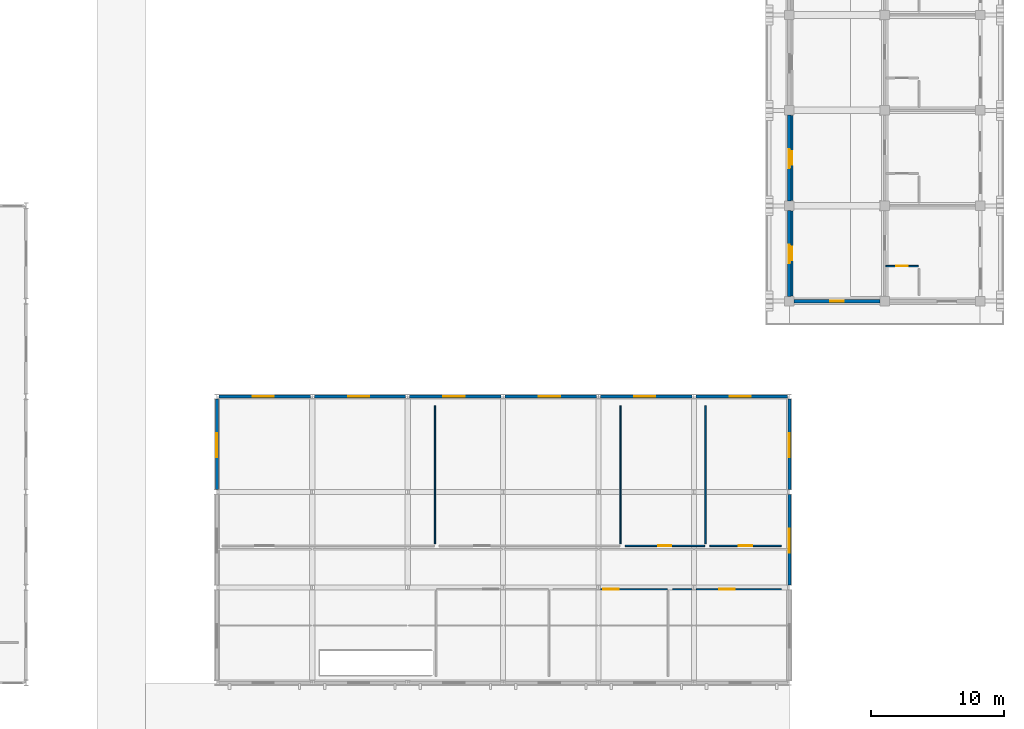
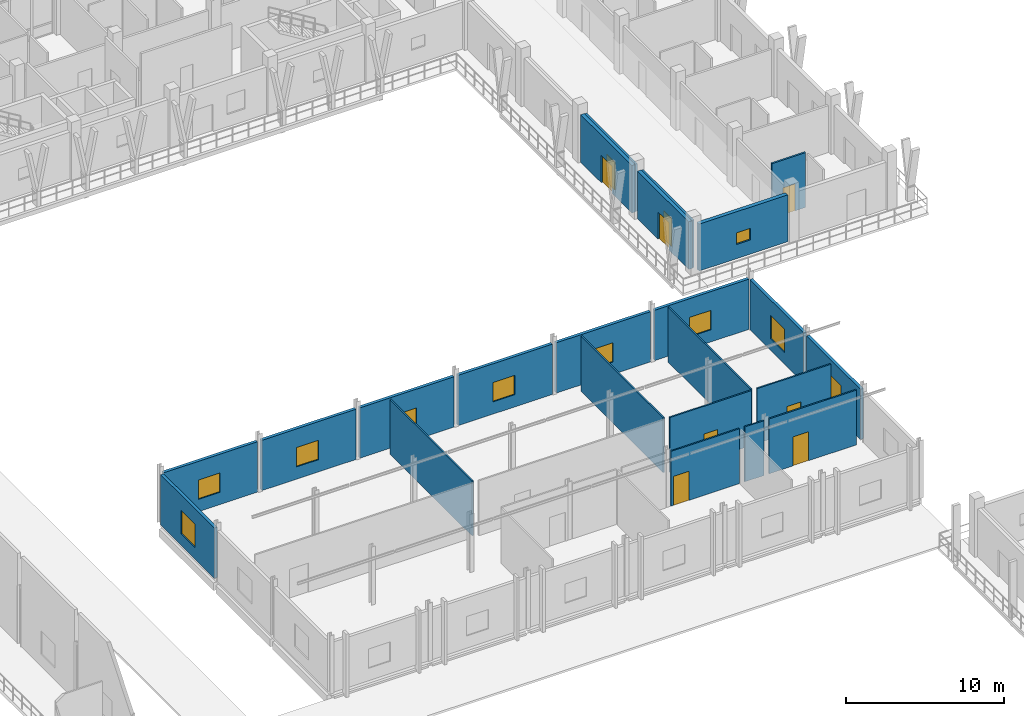
# One storey, part 86 of 110: 23 walls, 10 windows, 9 doors, 19 openings.
"""IFC4 building model written with IfcOpenShell, lengths in metres."""

from ifc_helpers import new_model, si_unit, direction, frame, frame_2d, origin, place, context, subcontext, project, spatial, rectangle, extrude, material, layer, layer_set, type_object, element, fill, save


model = new_model("IFC4")

# Units and contexts
model_context = context("Model", 3, precision=1e-05, world=origin(), true_north=direction((0.0, 1.0)))
body_context = subcontext(model_context, "Body", "Model", "MODEL_VIEW")
ifc_project = project(units=[si_unit("LENGTHUNIT", "METRE"), si_unit("AREAUNIT", "SQUARE_METRE"), si_unit("VOLUMEUNIT", "CUBIC_METRE"), si_unit("PLANEANGLEUNIT", "RADIAN"), si_unit("MASSUNIT", "GRAM", prefix="KILO")], contexts=[model_context])

# Site, building, storey
site_placement = place(None, origin())
site = spatial("IfcSite", under=ifc_project, at=site_placement, CompositionType="ELEMENT")
building_placement = place(site_placement, origin())
building = spatial("IfcBuilding", under=site, at=building_placement, Name="Suanplinth Sawtooth Commons", CompositionType="ELEMENT")
storey_placement = place(building_placement, frame((0.0, 0.0, 4.5)))
storey = spatial("IfcBuildingStorey", under=building, at=storey_placement, Name="L01", CompositionType="ELEMENT", Elevation=4.5)

# Wall, opening, window
ifc_material_1 = material(Name="Precast concrete C40/50", Category="concrete")
ifc_layer_1 = layer(ifc_material_1, 0.280029296875, Name="Insulated precast architectural facade wall 280mm")
ifc_layer_set_1 = layer_set([ifc_layer_1], Name="Precast concrete C40/50")
wall_type_1 = type_object("IfcWallType", Name="W-EX01", PredefinedType="ELEMENTEDWALL", material=ifc_layer_set_1)
wall_1_placement = place(storey_placement, frame((173.14990234375, 79.199951171875, 0.0), z_axis=(0.0, 0.0, 1.0), x_axis=(1.0, 0.0, 0.0)))
wall_1 = element("IfcWall", 1, at=wall_1_placement, inside=storey, type_object=wall_type_1, Name="Facade Wall W-L01-B-S-24-11", PredefinedType="ELEMENTEDWALL", context=body_context, shape_type="SweptSolid", body=[
    extrude(rectangle(XDim=6.5, YDim=0.280029296875, at=frame_2d((3.25, 0.0))), origin(), (0.0, 0.0, 1.0), 3.635009765625),
])
opening_1_placement = place(wall_1_placement, frame((2.75, 0.0, 1.10009765625)))
opening_1 = element("IfcOpeningElement", 2, at=opening_1_placement, cuts=wall_1, Name="Opening W0200", PredefinedType="OPENING", context=body_context, shape_type="SweptSolid", body=[
    extrude(rectangle(XDim=1.0, YDim=0.89990234375, at=frame_2d((0.5, 0.449951171875))), frame((0.0, 0.15478515625, 0.0), z_axis=(0.0, -1.0, 0.0), x_axis=(1.0, 0.0, 0.0)), (0.0, 0.0, 1.0), 0.309814453125),
])
ifc_material_2 = material(Name="Thermally broken aluminium and low-E double glazing", Category="aluminium")
window_type_1 = type_object("IfcWindowType", Name="WN-12", PartitioningType="SINGLE_PANEL", PredefinedType="WINDOW", material=ifc_material_2)
window_1_placement = place(opening_1_placement, origin())
window_1 = element("IfcWindow", 3, at=window_1_placement, inside=storey, type_object=window_type_1, Name="End Window L01-B-S-24-11", OverallHeight=0.89990234375, OverallWidth=1.0, PartitioningType="SINGLE_PANEL", PredefinedType="WINDOW", context=body_context, shape_type="SweptSolid", body=[
    extrude(rectangle(XDim=1.0, YDim=0.89990234375, at=frame_2d((0.5, 0.449951171875))), frame((0.0, 0.030029296875, 0.0), z_axis=(0.0, -1.0, 0.0), x_axis=(1.0, 0.0, 0.0)), (0.0, 0.0, 1.0), 0.06005859375),
])
fill(opening_1, window_1)

# Wall, opening, door
wall_2_placement = place(storey_placement, frame((172.800048828125, 79.550048828125, 0.0), z_axis=(0.0, 0.0, 1.0), x_axis=(0.0, 1.0, 0.0)))
wall_2 = element("IfcWall", 4, at=wall_2_placement, inside=storey, type_object=wall_type_1, Name="Facade Wall W-L01-B-W-24-11", PredefinedType="ELEMENTEDWALL", context=body_context, shape_type="SweptSolid", body=[
    extrude(rectangle(XDim=6.5, YDim=0.280029296875, at=frame_2d((3.25, 0.0))), origin(), (0.0, 0.0, 1.0), 3.68505859375),
])
opening_2_placement = place(wall_2_placement, frame((2.5, 0.0, 0.0)))
opening_2 = element("IfcOpeningElement", 5, at=opening_2_placement, cuts=wall_2, Name="Opening ED0074", PredefinedType="OPENING", context=body_context, shape_type="SweptSolid", body=[
    extrude(rectangle(XDim=1.39990234375, YDim=2.10009765625, at=frame_2d((0.699951171875, 1.050048828125))), frame((0.0, 0.15478515625, 0.0), z_axis=(0.0, -1.0, 0.0), x_axis=(1.0, 0.0, 0.0)), (0.0, 0.0, 1.0), 0.309814453125),
])
ifc_material_3 = material(Name="Anodized aluminium and low-E glass", Category="aluminium")
door_type_1 = type_object("IfcDoorType", Name="SD-07", OperationType="SLIDING_TO_RIGHT", PredefinedType="DOOR", material=ifc_material_3)
door_1_placement = place(opening_2_placement, frame((1.39990234375, 0.0, 0.0), z_axis=(0.0, 0.0, 1.0), x_axis=(-1.0, 0.0, 0.0)))
door_1 = element("IfcDoor", 6, at=door_1_placement, inside=storey, type_object=door_type_1, Name="Courtyard Veranda Studio Balcony Door L01-B-11", OperationType="SLIDING_TO_RIGHT", OverallHeight=2.10009765625, OverallWidth=1.39990234375, PredefinedType="DOOR", context=body_context, shape_type="SweptSolid", body=[
    extrude(rectangle(XDim=1.39990234375, YDim=2.10009765625, at=frame_2d((0.699951171875, 1.050048828125))), frame((0.0, 0.02490234375, 0.0), z_axis=(0.0, -1.0, 0.0), x_axis=(1.0, 0.0, 0.0)), (0.0, 0.0, 1.0), 0.050048828125),
])
fill(opening_2, door_1)

wall_3_placement = place(storey_placement, frame((172.800048828125, 86.75, 0.0), z_axis=(0.0, 0.0, 1.0), x_axis=(0.0, 1.0, 0.0)))
wall_3 = element("IfcWall", 7, at=wall_3_placement, inside=storey, type_object=wall_type_1, Name="Facade Wall W-L01-B-W-24-12", PredefinedType="ELEMENTEDWALL", context=body_context, shape_type="SweptSolid", body=[
    extrude(rectangle(XDim=6.5, YDim=0.280029296875, at=frame_2d((3.25, 0.0))), origin(), (0.0, 0.0, 1.0), 3.68505859375),
])
opening_3_placement = place(wall_3_placement, frame((2.5, 0.0, 0.0)))
opening_3 = element("IfcOpeningElement", 8, at=opening_3_placement, cuts=wall_3, Name="Opening ED0075", PredefinedType="OPENING", context=body_context, shape_type="SweptSolid", body=[
    extrude(rectangle(XDim=1.39990234375, YDim=2.10009765625, at=frame_2d((0.699951171875, 1.050048828125))), frame((0.0, 0.15478515625, 0.0), z_axis=(0.0, -1.0, 0.0), x_axis=(1.0, 0.0, 0.0)), (0.0, 0.0, 1.0), 0.309814453125),
])
door_2_placement = place(opening_3_placement, frame((1.39990234375, 0.0, 0.0), z_axis=(0.0, 0.0, 1.0), x_axis=(-1.0, 0.0, 0.0)))
door_2 = element("IfcDoor", 9, at=door_2_placement, inside=storey, type_object=door_type_1, Name="Courtyard Veranda Studio Balcony Door L01-B-12", OperationType="SLIDING_TO_RIGHT", OverallHeight=2.10009765625, OverallWidth=1.39990234375, PredefinedType="DOOR", context=body_context, shape_type="SweptSolid", body=[
    extrude(rectangle(XDim=1.39990234375, YDim=2.10009765625, at=frame_2d((0.699951171875, 1.050048828125))), frame((0.0, 0.02490234375, 0.0), z_axis=(0.0, -1.0, 0.0), x_axis=(1.0, 0.0, 0.0)), (0.0, 0.0, 1.0), 0.050048828125),
])
fill(opening_3, door_2)

# Wall, opening, window
ifc_layer_2 = layer(ifc_material_1, 0.219970703125, Name="Civic pavilion insulated facade wall 220mm")
ifc_layer_set_2 = layer_set([ifc_layer_2], Name="Precast concrete C40/50")
wall_type_2 = type_object("IfcWallType", Name="W-EX05", PredefinedType="ELEMENTEDWALL", material=ifc_layer_set_2)
wall_4_placement = place(storey_placement, frame((129.75, 72.0, 0.0), z_axis=(0.0, 0.0, 1.0), x_axis=(1.0, 0.0, 0.0)))
wall_4 = element("IfcWall", 10, at=wall_4_placement, inside=storey, type_object=wall_type_2, Name="Clinic N Wall L01-18", PredefinedType="ELEMENTEDWALL", context=body_context, shape_type="SweptSolid", body=[
    extrude(rectangle(XDim=6.89990234375, YDim=0.219970703125, at=frame_2d((3.449951171875, 0.0))), origin(), (0.0, 0.0, 1.0), 3.89990234375),
])
opening_4_placement = place(wall_4_placement, frame((2.550048828125, 0.0, 0.949951171875)))
opening_4 = element("IfcOpeningElement", 11, at=opening_4_placement, cuts=wall_4, Name="Opening W0028", PredefinedType="OPENING", context=body_context, shape_type="SweptSolid", body=[
    extrude(rectangle(XDim=1.60009765625, YDim=1.5, at=frame_2d((0.800048828125, 0.75))), frame((0.0, 0.125, 0.0), z_axis=(0.0, -1.0, 0.0), x_axis=(1.0, 0.0, 0.0)), (0.0, 0.0, 1.0), 0.249755859375),
])
window_type_2 = type_object("IfcWindowType", Name="WN-08", PartitioningType="DOUBLE_PANEL_VERTICAL", PredefinedType="WINDOW", material=ifc_material_2)
window_2_placement = place(opening_4_placement, origin())
window_2 = element("IfcWindow", 12, at=window_2_placement, inside=storey, type_object=window_type_2, Name="Clinic Window N-18", OverallHeight=1.5, OverallWidth=1.60009765625, PartitioningType="DOUBLE_PANEL_VERTICAL", PredefinedType="WINDOW", context=body_context, shape_type="SweptSolid", body=[
    extrude(rectangle(XDim=1.60009765625, YDim=1.5, at=frame_2d((0.800048828125, 0.75))), frame((0.0, 0.030029296875, 0.0), z_axis=(0.0, -1.0, 0.0), x_axis=(1.0, 0.0, 0.0)), (0.0, 0.0, 1.0), 0.06005859375),
])
fill(opening_4, window_2)

wall_5_placement = place(storey_placement, frame((136.949951171875, 72.0, 0.0), z_axis=(0.0, 0.0, 1.0), x_axis=(1.0, 0.0, 0.0)))
wall_5 = element("IfcWall", 13, at=wall_5_placement, inside=storey, type_object=wall_type_2, Name="Clinic N Wall L01-19", PredefinedType="ELEMENTEDWALL", context=body_context, shape_type="SweptSolid", body=[
    extrude(rectangle(XDim=6.900146484375, YDim=0.219970703125, at=frame_2d((3.4501953125, 0.0))), origin(), (0.0, 0.0, 1.0), 3.89990234375),
])
opening_5_placement = place(wall_5_placement, frame((2.550048828125, 0.0, 0.949951171875)))
opening_5 = element("IfcOpeningElement", 14, at=opening_5_placement, cuts=wall_5, Name="Opening W0030", PredefinedType="OPENING", context=body_context, shape_type="SweptSolid", body=[
    extrude(rectangle(XDim=1.60009765625, YDim=1.5, at=frame_2d((0.800048828125, 0.75))), frame((0.0, 0.125, 0.0), z_axis=(0.0, -1.0, 0.0), x_axis=(1.0, 0.0, 0.0)), (0.0, 0.0, 1.0), 0.249755859375),
])
window_3_placement = place(opening_5_placement, origin())
window_3 = element("IfcWindow", 15, at=window_3_placement, inside=storey, type_object=window_type_2, Name="Clinic Window N-19", OverallHeight=1.5, OverallWidth=1.60009765625, PartitioningType="DOUBLE_PANEL_VERTICAL", PredefinedType="WINDOW", context=body_context, shape_type="SweptSolid", body=[
    extrude(rectangle(XDim=1.60009765625, YDim=1.5, at=frame_2d((0.800048828125, 0.75))), frame((0.0, 0.030029296875, 0.0), z_axis=(0.0, -1.0, 0.0), x_axis=(1.0, 0.0, 0.0)), (0.0, 0.0, 1.0), 0.06005859375),
])
fill(opening_5, window_3)

wall_6_placement = place(storey_placement, frame((144.14990234375, 72.0, 0.0), z_axis=(0.0, 0.0, 1.0), x_axis=(1.0, 0.0, 0.0)))
wall_6 = element("IfcWall", 16, at=wall_6_placement, inside=storey, type_object=wall_type_2, Name="Clinic N Wall L01-20", PredefinedType="ELEMENTEDWALL", context=body_context, shape_type="SweptSolid", body=[
    extrude(rectangle(XDim=6.900146484375, YDim=0.219970703125, at=frame_2d((3.4501953125, 0.0))), origin(), (0.0, 0.0, 1.0), 3.89990234375),
])
opening_6_placement = place(wall_6_placement, frame((2.550048828125, 0.0, 0.949951171875)))
opening_6 = element("IfcOpeningElement", 17, at=opening_6_placement, cuts=wall_6, Name="Opening W0033", PredefinedType="OPENING", context=body_context, shape_type="SweptSolid", body=[
    extrude(rectangle(XDim=1.60009765625, YDim=1.5, at=frame_2d((0.800048828125, 0.75))), frame((0.0, 0.125, 0.0), z_axis=(0.0, -1.0, 0.0), x_axis=(1.0, 0.0, 0.0)), (0.0, 0.0, 1.0), 0.249755859375),
])
window_4_placement = place(opening_6_placement, origin())
window_4 = element("IfcWindow", 18, at=window_4_placement, inside=storey, type_object=window_type_2, Name="Clinic Window N-20", OverallHeight=1.5, OverallWidth=1.60009765625, PartitioningType="DOUBLE_PANEL_VERTICAL", PredefinedType="WINDOW", context=body_context, shape_type="SweptSolid", body=[
    extrude(rectangle(XDim=1.60009765625, YDim=1.5, at=frame_2d((0.800048828125, 0.75))), frame((0.0, 0.030029296875, 0.0), z_axis=(0.0, -1.0, 0.0), x_axis=(1.0, 0.0, 0.0)), (0.0, 0.0, 1.0), 0.06005859375),
])
fill(opening_6, window_4)

wall_7_placement = place(storey_placement, frame((151.35009765625, 72.0, 0.0), z_axis=(0.0, 0.0, 1.0), x_axis=(1.0, 0.0, 0.0)))
wall_7 = element("IfcWall", 19, at=wall_7_placement, inside=storey, type_object=wall_type_2, Name="Clinic N Wall L01-21", PredefinedType="ELEMENTEDWALL", context=body_context, shape_type="SweptSolid", body=[
    extrude(rectangle(XDim=6.89990234375, YDim=0.219970703125, at=frame_2d((3.449951171875, 0.0))), origin(), (0.0, 0.0, 1.0), 3.89990234375),
])
opening_7_placement = place(wall_7_placement, frame((2.550048828125, 0.0, 0.949951171875)))
opening_7 = element("IfcOpeningElement", 20, at=opening_7_placement, cuts=wall_7, Name="Opening W0036", PredefinedType="OPENING", context=body_context, shape_type="SweptSolid", body=[
    extrude(rectangle(XDim=1.60009765625, YDim=1.5, at=frame_2d((0.800048828125, 0.75))), frame((0.0, 0.125, 0.0), z_axis=(0.0, -1.0, 0.0), x_axis=(1.0, 0.0, 0.0)), (0.0, 0.0, 1.0), 0.249755859375),
])
window_5_placement = place(opening_7_placement, origin())
window_5 = element("IfcWindow", 21, at=window_5_placement, inside=storey, type_object=window_type_2, Name="Clinic Window N-21", OverallHeight=1.5, OverallWidth=1.60009765625, PartitioningType="DOUBLE_PANEL_VERTICAL", PredefinedType="WINDOW", context=body_context, shape_type="SweptSolid", body=[
    extrude(rectangle(XDim=1.60009765625, YDim=1.5, at=frame_2d((0.800048828125, 0.75))), frame((0.0, 0.030029296875, 0.0), z_axis=(0.0, -1.0, 0.0), x_axis=(1.0, 0.0, 0.0)), (0.0, 0.0, 1.0), 0.06005859375),
])
fill(opening_7, window_5)

wall_8_placement = place(storey_placement, frame((158.550048828125, 72.0, 0.0), z_axis=(0.0, 0.0, 1.0), x_axis=(1.0, 0.0, 0.0)))
wall_8 = element("IfcWall", 22, at=wall_8_placement, inside=storey, type_object=wall_type_2, Name="Clinic N Wall L01-22", PredefinedType="ELEMENTEDWALL", context=body_context, shape_type="SweptSolid", body=[
    extrude(rectangle(XDim=6.89990234375, YDim=0.219970703125, at=frame_2d((3.449951171875, 0.0))), origin(), (0.0, 0.0, 1.0), 3.89990234375),
])
opening_8_placement = place(wall_8_placement, frame((2.550048828125, 0.0, 0.949951171875)))
opening_8 = element("IfcOpeningElement", 23, at=opening_8_placement, cuts=wall_8, Name="Opening W0038", PredefinedType="OPENING", context=body_context, shape_type="SweptSolid", body=[
    extrude(rectangle(XDim=1.60009765625, YDim=1.5, at=frame_2d((0.800048828125, 0.75))), frame((0.0, 0.125, 0.0), z_axis=(0.0, -1.0, 0.0), x_axis=(1.0, 0.0, 0.0)), (0.0, 0.0, 1.0), 0.249755859375),
])
window_6_placement = place(opening_8_placement, origin())
window_6 = element("IfcWindow", 24, at=window_6_placement, inside=storey, type_object=window_type_2, Name="Clinic Window N-22", OverallHeight=1.5, OverallWidth=1.60009765625, PartitioningType="DOUBLE_PANEL_VERTICAL", PredefinedType="WINDOW", context=body_context, shape_type="SweptSolid", body=[
    extrude(rectangle(XDim=1.60009765625, YDim=1.5, at=frame_2d((0.800048828125, 0.75))), frame((0.0, 0.030029296875, 0.0), z_axis=(0.0, -1.0, 0.0), x_axis=(1.0, 0.0, 0.0)), (0.0, 0.0, 1.0), 0.06005859375),
])
fill(opening_8, window_6)

wall_9_placement = place(storey_placement, frame((165.75, 72.0, 0.0), z_axis=(0.0, 0.0, 1.0), x_axis=(1.0, 0.0, 0.0)))
wall_9 = element("IfcWall", 25, at=wall_9_placement, inside=storey, type_object=wall_type_2, Name="Clinic N Wall L01-23", PredefinedType="ELEMENTEDWALL", context=body_context, shape_type="SweptSolid", body=[
    extrude(rectangle(XDim=6.89990234375, YDim=0.219970703125, at=frame_2d((3.449951171875, 0.0))), origin(), (0.0, 0.0, 1.0), 3.89990234375),
])
opening_9_placement = place(wall_9_placement, frame((2.550048828125, 0.0, 0.949951171875)))
opening_9 = element("IfcOpeningElement", 26, at=opening_9_placement, cuts=wall_9, Name="Opening W0041", PredefinedType="OPENING", context=body_context, shape_type="SweptSolid", body=[
    extrude(rectangle(XDim=1.60009765625, YDim=1.5, at=frame_2d((0.800048828125, 0.75))), frame((0.0, 0.125, 0.0), z_axis=(0.0, -1.0, 0.0), x_axis=(1.0, 0.0, 0.0)), (0.0, 0.0, 1.0), 0.249755859375),
])
window_7_placement = place(opening_9_placement, origin())
window_7 = element("IfcWindow", 27, at=window_7_placement, inside=storey, type_object=window_type_2, Name="Clinic Window N-23", OverallHeight=1.5, OverallWidth=1.60009765625, PartitioningType="DOUBLE_PANEL_VERTICAL", PredefinedType="WINDOW", context=body_context, shape_type="SweptSolid", body=[
    extrude(rectangle(XDim=1.60009765625, YDim=1.5, at=frame_2d((0.800048828125, 0.75))), frame((0.0, 0.030029296875, 0.0), z_axis=(0.0, -1.0, 0.0), x_axis=(1.0, 0.0, 0.0)), (0.0, 0.0, 1.0), 0.06005859375),
])
fill(opening_9, window_7)

wall_10_placement = place(storey_placement, frame((172.800048828125, 57.780029296875, 0.0), z_axis=(0.0, 0.0, 1.0), x_axis=(0.0, 1.0, 0.0)))
wall_10 = element("IfcWall", 28, at=wall_10_placement, inside=storey, type_object=wall_type_2, Name="Nursery E Wall L01-8", PredefinedType="ELEMENTEDWALL", context=body_context, shape_type="SweptSolid", body=[
    extrude(rectangle(XDim=6.840087890625, YDim=0.219970703125, at=frame_2d((3.419921875, 0.0))), origin(), (0.0, 0.0, 1.0), 3.89990234375),
])
opening_10_placement = place(wall_10_placement, frame((2.449951171875, 0.0, 0.89990234375)))
opening_10 = element("IfcOpeningElement", 29, at=opening_10_placement, cuts=wall_10, Name="Opening W0048", PredefinedType="OPENING", context=body_context, shape_type="SweptSolid", body=[
    extrude(rectangle(XDim=1.800048828125, YDim=1.800048828125, at=frame_2d((0.89990234375, 0.89990234375))), frame((0.0, 0.125, 0.0), z_axis=(0.0, -1.0, 0.0), x_axis=(1.0, 0.0, 0.0)), (0.0, 0.0, 1.0), 0.249755859375),
])
window_type_3 = type_object("IfcWindowType", Name="WN-07", PartitioningType="DOUBLE_PANEL_VERTICAL", PredefinedType="WINDOW", material=ifc_material_2)
window_8_placement = place(opening_10_placement, origin())
window_8 = element("IfcWindow", 30, at=window_8_placement, inside=storey, type_object=window_type_3, Name="Nursery E Window L01-8", OverallHeight=1.800048828125, OverallWidth=1.800048828125, PartitioningType="DOUBLE_PANEL_VERTICAL", PredefinedType="WINDOW", context=body_context, shape_type="SweptSolid", body=[
    extrude(rectangle(XDim=1.800048828125, YDim=1.800048828125, at=frame_2d((0.89990234375, 0.89990234375))), frame((0.0, 0.030029296875, 0.0), z_axis=(0.0, -1.0, 0.0), x_axis=(1.0, 0.0, 0.0)), (0.0, 0.0, 1.0), 0.06005859375),
])
fill(opening_10, window_8)

wall_11_placement = place(storey_placement, frame((129.60009765625, 64.97998046875, 0.0), z_axis=(0.0, 0.0, 1.0), x_axis=(0.0, 1.0, 0.0)))
wall_11 = element("IfcWall", 31, at=wall_11_placement, inside=storey, type_object=wall_type_2, Name="Nursery W Wall L01-9", PredefinedType="ELEMENTEDWALL", context=body_context, shape_type="SweptSolid", body=[
    extrude(rectangle(XDim=6.840087890625, YDim=0.219970703125, at=frame_2d((3.419921875, 0.0))), origin(), (0.0, 0.0, 1.0), 3.89990234375),
])
opening_11_placement = place(wall_11_placement, frame((2.449951171875, 0.0, 0.89990234375)))
opening_11 = element("IfcOpeningElement", 32, at=opening_11_placement, cuts=wall_11, Name="Opening W0050", PredefinedType="OPENING", context=body_context, shape_type="SweptSolid", body=[
    extrude(rectangle(XDim=1.800048828125, YDim=1.800048828125, at=frame_2d((0.89990234375, 0.89990234375))), frame((0.0, 0.125, 0.0), z_axis=(0.0, -1.0, 0.0), x_axis=(1.0, 0.0, 0.0)), (0.0, 0.0, 1.0), 0.249755859375),
])
window_9_placement = place(opening_11_placement, origin())
window_9 = element("IfcWindow", 33, at=window_9_placement, inside=storey, type_object=window_type_3, Name="Nursery W Window L01-9", OverallHeight=1.800048828125, OverallWidth=1.800048828125, PartitioningType="DOUBLE_PANEL_VERTICAL", PredefinedType="WINDOW", context=body_context, shape_type="SweptSolid", body=[
    extrude(rectangle(XDim=1.800048828125, YDim=1.800048828125, at=frame_2d((0.89990234375, 0.89990234375))), frame((0.0, 0.030029296875, 0.0), z_axis=(0.0, -1.0, 0.0), x_axis=(1.0, 0.0, 0.0)), (0.0, 0.0, 1.0), 0.06005859375),
])
fill(opening_11, window_9)

wall_12_placement = place(storey_placement, frame((172.800048828125, 64.97998046875, 0.0), z_axis=(0.0, 0.0, 1.0), x_axis=(0.0, 1.0, 0.0)))
wall_12 = element("IfcWall", 34, at=wall_12_placement, inside=storey, type_object=wall_type_2, Name="Nursery E Wall L01-9", PredefinedType="ELEMENTEDWALL", context=body_context, shape_type="SweptSolid", body=[
    extrude(rectangle(XDim=6.840087890625, YDim=0.219970703125, at=frame_2d((3.419921875, 0.0))), origin(), (0.0, 0.0, 1.0), 3.89990234375),
])
opening_12_placement = place(wall_12_placement, frame((2.449951171875, 0.0, 0.89990234375)))
opening_12 = element("IfcOpeningElement", 35, at=opening_12_placement, cuts=wall_12, Name="Opening W0052", PredefinedType="OPENING", context=body_context, shape_type="SweptSolid", body=[
    extrude(rectangle(XDim=1.800048828125, YDim=1.800048828125, at=frame_2d((0.89990234375, 0.89990234375))), frame((0.0, 0.125, 0.0), z_axis=(0.0, -1.0, 0.0), x_axis=(1.0, 0.0, 0.0)), (0.0, 0.0, 1.0), 0.249755859375),
])
window_10_placement = place(opening_12_placement, origin())
window_10 = element("IfcWindow", 36, at=window_10_placement, inside=storey, type_object=window_type_3, Name="Nursery E Window L01-9", OverallHeight=1.800048828125, OverallWidth=1.800048828125, PartitioningType="DOUBLE_PANEL_VERTICAL", PredefinedType="WINDOW", context=body_context, shape_type="SweptSolid", body=[
    extrude(rectangle(XDim=1.800048828125, YDim=1.800048828125, at=frame_2d((0.89990234375, 0.89990234375))), frame((0.0, 0.030029296875, 0.0), z_axis=(0.0, -1.0, 0.0), x_axis=(1.0, 0.0, 0.0)), (0.0, 0.0, 1.0), 0.06005859375),
])
fill(opening_12, window_10)

# Wall, opening, door
ifc_layer_3 = layer(ifc_material_1, 0.159912109375, Name="Fire-rated corridor and lobby wall 160mm")
ifc_layer_set_3 = layer_set([ifc_layer_3], Name="Precast concrete C40/50")
wall_type_3 = type_object("IfcWallType", Name="W-FW01", PredefinedType="PARTITIONING", material=ifc_layer_set_3)
wall_13_placement = place(storey_placement, frame((173.0, 79.580078125, 0.0), z_axis=(0.0, 0.0, 1.0), x_axis=(0.0, 1.0, 0.0)))
wall_13 = element("IfcWall", 37, at=wall_13_placement, inside=storey, type_object=wall_type_3, Name="W-B-L01-LEGCOURTROOM-35-COR", PredefinedType="PARTITIONING", context=body_context, shape_type="SweptSolid", body=[
    extrude(rectangle(XDim=6.43994140625, YDim=0.159912109375, at=frame_2d((3.219970703125, 0.0))), origin(), (0.0, 0.0, 1.0), 3.68505859375),
])
opening_13_placement = place(wall_13_placement, frame((2.7099609375, 0.0, 0.0)))
opening_13 = element("IfcOpeningElement", 38, at=opening_13_placement, cuts=wall_13, Name="Opening D0606", PredefinedType="OPENING", context=body_context, shape_type="SweptSolid", body=[
    extrude(rectangle(XDim=1.02001953125, YDim=2.179931640625, at=frame_2d((0.510009765625, 1.08984375))), frame((0.0, 0.0947265625, 0.0), z_axis=(0.0, -1.0, 0.0), x_axis=(1.0, 0.0, 0.0)), (0.0, 0.0, 1.0), 0.189697265625),
])
ifc_material_4 = material(Name="Teak hardwood", Category="wood")
door_type_2 = type_object("IfcDoorType", Name="D-16", OperationType="NOTDEFINED", PredefinedType="DOOR", material=ifc_material_4)
door_3_placement = place(opening_13_placement, origin())
door_3 = element("IfcDoor", 39, at=door_3_placement, inside=storey, type_object=door_type_2, Name="Veranda Studio Door D0606", OperationType="SINGLE_SWING_RIGHT", OverallHeight=2.179931640625, OverallWidth=1.02001953125, PredefinedType="DOOR", context=body_context, shape_type="SweptSolid", body=[
    extrude(rectangle(XDim=1.02001953125, YDim=2.179931640625, at=frame_2d((0.510009765625, 1.08984375))), frame((0.0, 0.02490234375, 0.0), z_axis=(0.0, -1.0, 0.0), x_axis=(1.0, 0.0, 0.0)), (0.0, 0.0, 1.0), 0.050048828125),
])
fill(opening_13, door_3)

wall_14_placement = place(storey_placement, frame((173.0, 86.780029296875, 0.0), z_axis=(0.0, 0.0, 1.0), x_axis=(0.0, 1.0, 0.0)))
wall_14 = element("IfcWall", 40, at=wall_14_placement, inside=storey, type_object=wall_type_3, Name="W-B-L01-LEGCOURTROOM-37-COR", PredefinedType="PARTITIONING", context=body_context, shape_type="SweptSolid", body=[
    extrude(rectangle(XDim=6.43994140625, YDim=0.159912109375, at=frame_2d((3.219970703125, 0.0))), origin(), (0.0, 0.0, 1.0), 3.68505859375),
])
opening_14_placement = place(wall_14_placement, frame((2.7099609375, 0.0, 0.0)))
opening_14 = element("IfcOpeningElement", 41, at=opening_14_placement, cuts=wall_14, Name="Opening D0609", PredefinedType="OPENING", context=body_context, shape_type="SweptSolid", body=[
    extrude(rectangle(XDim=1.02001953125, YDim=2.179931640625, at=frame_2d((0.510009765625, 1.08984375))), frame((0.0, 0.0947265625, 0.0), z_axis=(0.0, -1.0, 0.0), x_axis=(1.0, 0.0, 0.0)), (0.0, 0.0, 1.0), 0.189697265625),
])
door_4_placement = place(opening_14_placement, origin())
door_4 = element("IfcDoor", 42, at=door_4_placement, inside=storey, type_object=door_type_2, Name="Veranda Studio Door D0609", OperationType="SINGLE_SWING_LEFT", OverallHeight=2.179931640625, OverallWidth=1.02001953125, PredefinedType="DOOR", context=body_context, shape_type="SweptSolid", body=[
    extrude(rectangle(XDim=1.02001953125, YDim=2.179931640625, at=frame_2d((0.510009765625, 1.08984375))), frame((0.0, 0.02490234375, 0.0), z_axis=(0.0, -1.0, 0.0), x_axis=(1.0, 0.0, 0.0)), (0.0, 0.0, 1.0), 0.050048828125),
])
fill(opening_14, door_4)

ifc_material_5 = material(Name="Gypsum plasterboard on steel stud", Category="steel")
ifc_layer_4 = layer(ifc_material_5, 0.1298828125, Name="Moisture-resistant bathroom partition 130mm")
ifc_layer_set_4 = layer_set([ifc_layer_4], Name="Gypsum plasterboard on steel stud")
wall_type_4 = type_object("IfcWallType", Name="W-PT02", PredefinedType="PARTITIONING", material=ifc_layer_set_4)
wall_15_placement = place(storey_placement, frame((180.080078125, 81.844970703125, 0.0), z_axis=(0.0, 0.0, 1.0), x_axis=(1.0, 0.0, 0.0)))
wall_15 = element("IfcWall", 43, at=wall_15_placement, inside=storey, type_object=wall_type_4, Name="W-B-L01-L01-BTH1", PredefinedType="PARTITIONING", context=body_context, shape_type="SweptSolid", body=[
    extrude(rectangle(XDim=2.449951171875, YDim=0.1298828125, at=frame_2d((1.22509765625, 0.0))), origin(), (0.0, 0.0, 1.0), 4.25),
])
opening_15_placement = place(wall_15_placement, frame((0.77490234375, 0.0, 0.0)))
opening_15 = element("IfcOpeningElement", 44, at=opening_15_placement, cuts=wall_15, Name="Opening D0605", PredefinedType="OPENING", context=body_context, shape_type="SweptSolid", body=[
    extrude(rectangle(XDim=0.89990234375, YDim=2.10009765625, at=frame_2d((0.449951171875, 1.050048828125))), frame((0.0, 0.079833984375, 0.0), z_axis=(0.0, -1.0, 0.0), x_axis=(1.0, 0.0, 0.0)), (0.0, 0.0, 1.0), 0.15966796875),
])
door_type_3 = type_object("IfcDoorType", Name="D-01", OperationType="NOTDEFINED", PredefinedType="DOOR", material=ifc_material_4)
door_5_placement = place(opening_15_placement, frame((0.89990234375, 0.0, 0.0), z_axis=(0.0, 0.0, 1.0), x_axis=(-1.0, 0.0, 0.0)))
door_5 = element("IfcDoor", 45, at=door_5_placement, inside=storey, type_object=door_type_3, Name="Bathroom Door D0605", OperationType="SINGLE_SWING_LEFT", OverallHeight=2.10009765625, OverallWidth=0.89990234375, PredefinedType="DOOR", context=body_context, shape_type="SweptSolid", body=[
    extrude(rectangle(XDim=0.89990234375, YDim=2.10009765625, at=frame_2d((0.449951171875, 1.050048828125))), frame((0.0, 0.02490234375, 0.0), z_axis=(0.0, -1.0, 0.0), x_axis=(1.0, 0.0, 0.0)), (0.0, 0.0, 1.0), 0.050048828125),
])
fill(opening_15, door_5)

ifc_layer_5 = layer(ifc_material_5, 0.110107421875, Name="Civic classroom and clinic partition 110mm")
ifc_layer_set_5 = layer_set([ifc_layer_5], Name="Gypsum plasterboard on steel stud")
wall_type_5 = type_object("IfcWallType", Name="W-PT04", PredefinedType="PARTITIONING", material=ifc_layer_set_5)
wall_16_placement = place(storey_placement, frame((158.580078125, 57.4599609375, 0.0), z_axis=(0.0, 0.0, 1.0), x_axis=(1.0, 0.0, 0.0)))
wall_16 = element("IfcWall", 46, at=wall_16_placement, inside=storey, type_object=wall_type_5, Name="W-L01-CLIN-CONS2-N-S2", PredefinedType="PARTITIONING", context=body_context, shape_type="SweptSolid", body=[
    extrude(rectangle(XDim=5.02001953125, YDim=0.110107421875, at=frame_2d((2.510009765625, 0.0))), origin(), (0.0, 0.0, 1.0), 4.25),
])
opening_16_placement = place(wall_16_placement, frame((0.179931640625, 0.0, 0.0)))
opening_16 = element("IfcOpeningElement", 47, at=opening_16_placement, cuts=wall_16, Name="Opening D0452", PredefinedType="OPENING", context=body_context, shape_type="SweptSolid", body=[
    extrude(rectangle(XDim=1.14990234375, YDim=2.25, at=frame_2d((0.574951171875, 1.125))), frame((0.0, 0.06982421875, 0.0), z_axis=(0.0, -1.0, 0.0), x_axis=(1.0, 0.0, 0.0)), (0.0, 0.0, 1.0), 0.139892578125),
])
door_type_4 = type_object("IfcDoorType", Name="D-07", OperationType="NOTDEFINED", PredefinedType="DOOR", material=ifc_material_4)
door_6_placement = place(opening_16_placement, frame((1.14990234375, 0.0, 0.0), z_axis=(0.0, 0.0, 1.0), x_axis=(-1.0, 0.0, 0.0)))
door_6 = element("IfcDoor", 48, at=door_6_placement, inside=storey, type_object=door_type_4, Name="Civic Room Door D0452", OperationType="SINGLE_SWING_LEFT", OverallHeight=2.25, OverallWidth=1.14990234375, PredefinedType="DOOR", context=body_context, shape_type="SweptSolid", body=[
    extrude(rectangle(XDim=1.14990234375, YDim=2.25, at=frame_2d((0.574951171875, 1.125))), frame((0.0, 0.02490234375, 0.0), z_axis=(0.0, -1.0, 0.0), x_axis=(1.0, 0.0, 0.0)), (0.0, 0.0, 1.0), 0.050048828125),
])
fill(opening_16, door_6)

# Wall
wall_17_placement = place(storey_placement, frame((164.0, 57.4599609375, 0.0), z_axis=(0.0, 0.0, 1.0), x_axis=(1.0, 0.0, 0.0)))
element("IfcWall", 49, at=wall_17_placement, inside=storey, type_object=wall_type_5, Name="W-L01-CLIN-PHARM-N-S1", PredefinedType="PARTITIONING", context=body_context, shape_type="SweptSolid", body=[
    extrude(rectangle(XDim=1.419921875, YDim=0.110107421875, at=frame_2d((0.7099609375, 0.0))), origin(), (0.0, 0.0, 1.0), 4.25),
])

# Wall, opening, door
wall_18_placement = place(storey_placement, frame((165.780029296875, 57.4599609375, 0.0), z_axis=(0.0, 0.0, 1.0), x_axis=(1.0, 0.0, 0.0)))
wall_18 = element("IfcWall", 50, at=wall_18_placement, inside=storey, type_object=wall_type_5, Name="W-L01-CLIN-PHARM-N-S2", PredefinedType="PARTITIONING", context=body_context, shape_type="SweptSolid", body=[
    extrude(rectangle(XDim=6.419921875, YDim=0.110107421875, at=frame_2d((3.2099609375, 0.0))), origin(), (0.0, 0.0, 1.0), 4.25),
])
opening_17_placement = place(wall_18_placement, frame((1.7451171875, 0.0, 0.0)))
opening_17 = element("IfcOpeningElement", 51, at=opening_17_placement, cuts=wall_18, Name="Opening D0453", PredefinedType="OPENING", context=body_context, shape_type="SweptSolid", body=[
    extrude(rectangle(XDim=1.14990234375, YDim=2.25, at=frame_2d((0.574951171875, 1.125))), frame((0.0, 0.06982421875, 0.0), z_axis=(0.0, -1.0, 0.0), x_axis=(1.0, 0.0, 0.0)), (0.0, 0.0, 1.0), 0.139892578125),
])
door_7_placement = place(opening_17_placement, frame((1.14990234375, 0.0, 0.0), z_axis=(0.0, 0.0, 1.0), x_axis=(-1.0, 0.0, 0.0)))
door_7 = element("IfcDoor", 52, at=door_7_placement, inside=storey, type_object=door_type_4, Name="Civic Room Door D0453", OperationType="SINGLE_SWING_RIGHT", OverallHeight=2.25, OverallWidth=1.14990234375, PredefinedType="DOOR", context=body_context, shape_type="SweptSolid", body=[
    extrude(rectangle(XDim=1.14990234375, YDim=2.25, at=frame_2d((0.574951171875, 1.125))), frame((0.0, 0.02490234375, 0.0), z_axis=(0.0, -1.0, 0.0), x_axis=(1.0, 0.0, 0.0)), (0.0, 0.0, 1.0), 0.050048828125),
])
fill(opening_17, door_7)

# Walls
for number, where, z_axis, x_axis, name in (
    (53, (146.06005859375, 60.8798828125, 0.0), (0.0, 0.0, 1.0), (0.0, 1.0, 0.0), "W-L01-CLIN-YOGA-E"),
    (54, (160.06005859375, 60.8798828125, 0.0), (0.0, 0.0, 1.0), (0.0, 1.0, 0.0), "W-L01-CLIN-STAFF-E"),
):
    element("IfcWall", number, at=place(storey_placement, frame(where, z_axis=z_axis, x_axis=x_axis)), inside=storey, type_object=wall_type_5, Name=name, PredefinedType="PARTITIONING", context=body_context, shape_type="SweptSolid", body=[
        extrude(rectangle(XDim=10.440185546875, YDim=0.110107421875, at=frame_2d((5.22021484375, 0.0))), origin(), (0.0, 0.0, 1.0), 4.25),
    ])

# Wall, opening, door
wall_19_placement = place(storey_placement, frame((160.39990234375, 60.739990234375, 0.0), z_axis=(0.0, 0.0, 1.0), x_axis=(1.0, 0.0, 0.0)))
wall_19 = element("IfcWall", 55, at=wall_19_placement, inside=storey, type_object=wall_type_5, Name="W-L01-CLIN-WCS-S", PredefinedType="PARTITIONING", context=body_context, shape_type="SweptSolid", body=[
    extrude(rectangle(XDim=6.0, YDim=0.110107421875, at=frame_2d((3.0, 0.0))), origin(), (0.0, 0.0, 1.0), 4.25),
])
opening_18_placement = place(wall_19_placement, frame((2.5, 0.0, 0.0)))
opening_18 = element("IfcOpeningElement", 56, at=opening_18_placement, cuts=wall_19, Name="Opening D0456", PredefinedType="OPENING", context=body_context, shape_type="SweptSolid", body=[
    extrude(rectangle(XDim=1.0, YDim=2.10009765625, at=frame_2d((0.5, 1.050048828125))), frame((0.0, 0.06982421875, 0.0), z_axis=(0.0, -1.0, 0.0), x_axis=(1.0, 0.0, 0.0)), (0.0, 0.0, 1.0), 0.139892578125),
])
door_type_5 = type_object("IfcDoorType", Name="D-04", OperationType="NOTDEFINED", PredefinedType="DOOR", material=ifc_material_4)
door_8_placement = place(opening_18_placement, origin())
door_8 = element("IfcDoor", 57, at=door_8_placement, inside=storey, type_object=door_type_5, Name="Civic Room Door D0456", OperationType="SINGLE_SWING_RIGHT", OverallHeight=2.10009765625, OverallWidth=1.0, PredefinedType="DOOR", context=body_context, shape_type="SweptSolid", body=[
    extrude(rectangle(XDim=1.0, YDim=2.10009765625, at=frame_2d((0.5, 1.050048828125))), frame((0.0, 0.02490234375, 0.0), z_axis=(0.0, -1.0, 0.0), x_axis=(1.0, 0.0, 0.0)), (0.0, 0.0, 1.0), 0.050048828125),
])
fill(opening_18, door_8)

# Wall
wall_20_placement = place(storey_placement, frame((166.4599609375, 60.8798828125, 0.0), z_axis=(0.0, 0.0, 1.0), x_axis=(0.0, 1.0, 0.0)))
element("IfcWall", 58, at=wall_20_placement, inside=storey, type_object=wall_type_5, Name="W-L01-CLIN-WCS-E", PredefinedType="PARTITIONING", context=body_context, shape_type="SweptSolid", body=[
    extrude(rectangle(XDim=10.440185546875, YDim=0.110107421875, at=frame_2d((5.22021484375, 0.0))), origin(), (0.0, 0.0, 1.0), 4.25),
])

# Wall, opening, door
wall_21_placement = place(storey_placement, frame((166.800048828125, 60.739990234375, 0.0), z_axis=(0.0, 0.0, 1.0), x_axis=(1.0, 0.0, 0.0)))
wall_21 = element("IfcWall", 59, at=wall_21_placement, inside=storey, type_object=wall_type_5, Name="W-L01-CLIN-WCACC-S", PredefinedType="PARTITIONING", context=body_context, shape_type="SweptSolid", body=[
    extrude(rectangle(XDim=5.39990234375, YDim=0.110107421875, at=frame_2d((2.699951171875, 0.0))), origin(), (0.0, 0.0, 1.0), 4.25),
])
opening_19_placement = place(wall_21_placement, frame((2.199951171875, 0.0, 0.0)))
opening_19 = element("IfcOpeningElement", 60, at=opening_19_placement, cuts=wall_21, Name="Opening D0457", PredefinedType="OPENING", context=body_context, shape_type="SweptSolid", body=[
    extrude(rectangle(XDim=1.0, YDim=2.10009765625, at=frame_2d((0.5, 1.050048828125))), frame((0.0, 0.06982421875, 0.0), z_axis=(0.0, -1.0, 0.0), x_axis=(1.0, 0.0, 0.0)), (0.0, 0.0, 1.0), 0.139892578125),
])
door_9_placement = place(opening_19_placement, origin())
door_9 = element("IfcDoor", 61, at=door_9_placement, inside=storey, type_object=door_type_5, Name="Civic Room Door D0457", OperationType="SINGLE_SWING_LEFT", OverallHeight=2.10009765625, OverallWidth=1.0, PredefinedType="DOOR", context=body_context, shape_type="SweptSolid", body=[
    extrude(rectangle(XDim=1.0, YDim=2.10009765625, at=frame_2d((0.5, 1.050048828125))), frame((0.0, 0.02490234375, 0.0), z_axis=(0.0, -1.0, 0.0), x_axis=(1.0, 0.0, 0.0)), (0.0, 0.0, 1.0), 0.050048828125),
])
fill(opening_19, door_9)

save(model, "model.ifc")
